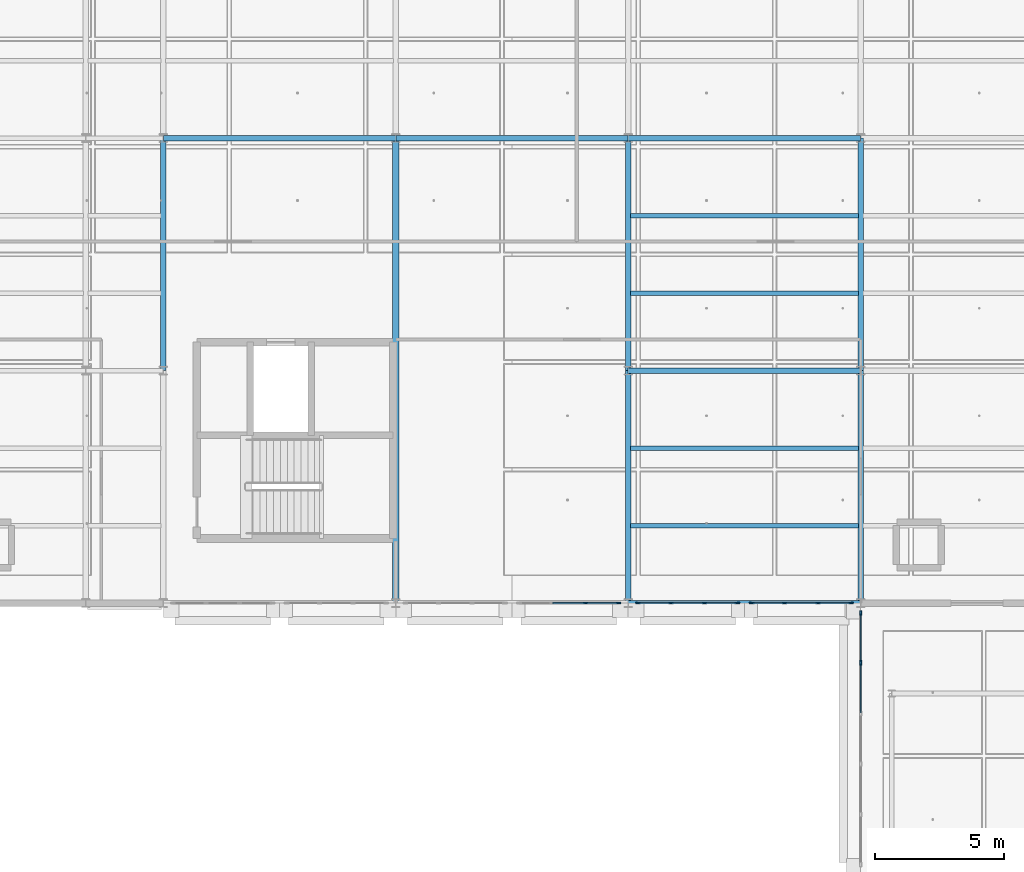
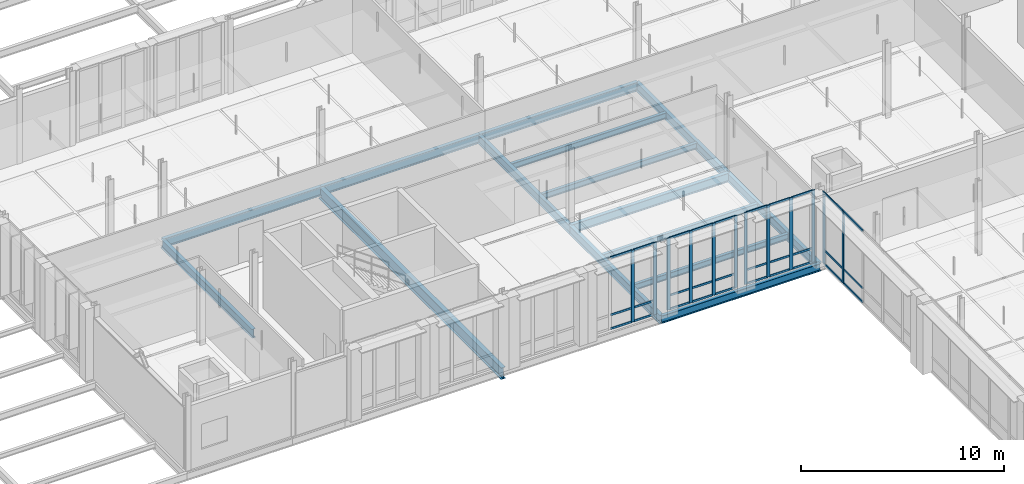
# One storey, part 52 of 140: 42 members, 15 beams, 4 elements without a shape of their own.
"""IFC4 building model written with IfcOpenShell, lengths in metres."""

import ifcopenshell
import ifcopenshell.guid

model = None  # the IFC model being written
_history = None  # IfcOwnerHistory: only IFC2X3 demands one
_inside = {}  # id of a spatial element -> (the spatial element, [elements in it])
_under = {}  # id of a project, library or spatial element -> (it, [spatial elements below it])
_declared = {}  # id of a project -> (the project, [libraries it declares])
_typed = {}  # id of a type object -> (the type object, [elements of that type])
_made_of = {}  # id of a material, layer set ... -> (it, [elements and type objects made of it])


def new_model(schema):
    """Start an empty IFC model of exactly this schema.

    Asked for "IFC4X3", IfcOpenShell would pick the latest addendum, in which some entities
    have other attributes; the version numbers below select the first issue.
    IFC2X3 requires an IfcOwnerHistory on every rooted entity: one is made here for all.
    """
    global model, _history
    if schema == "IFC4X3":
        model = ifcopenshell.file(schema_version=(4, 3, 0, 0))
    else:
        model = ifcopenshell.file(schema=schema)
    _inside.clear()
    _under.clear()
    _declared.clear()
    _typed.clear()
    _made_of.clear()
    _history = None
    if model.schema == "IFC2X3":
        org = make("IfcOrganization", Name="unknown")
        user = make(
            "IfcPersonAndOrganization",
            ThePerson=make("IfcPerson", FamilyName="unknown"),
            TheOrganization=org,
        )
        app = make(
            "IfcApplication",
            ApplicationDeveloper=org,
            Version="unknown",
            ApplicationFullName="unknown",
            ApplicationIdentifier="unknown",
        )
        _history = make(
            "IfcOwnerHistory",
            OwningUser=user,
            OwningApplication=app,
            ChangeAction="ADDED",
            CreationDate=0,
        )
    return model


def make(cls, **values):
    """One entity of the class cls with the attributes given. An attribute that is None is left unset."""
    return model.create_entity(
        cls, **{name: value for name, value in values.items() if value is not None}
    )


def rooted(cls, **values):
    """An entity with a GlobalId (a new one), such as an element, a storey or a relation."""
    return make(cls, GlobalId=ifcopenshell.guid.new(), OwnerHistory=_history, **values)


def si_unit(unit_type, name, prefix=None):
    """IfcSIUnit, for example si_unit("LENGTHUNIT", "METRE", prefix="MILLI")."""
    return make("IfcSIUnit", UnitType=unit_type, Prefix=prefix, Name=name)


def assignment(units):
    """IfcUnitAssignment: the units of a project."""
    return None if units is None else make("IfcUnitAssignment", Units=units)


def point(xyz):
    """IfcCartesianPoint."""
    return None if xyz is None else make("IfcCartesianPoint", Coordinates=xyz)


def direction(xyz):
    """IfcDirection."""
    return None if xyz is None else make("IfcDirection", DirectionRatios=xyz)


def frame(location, z_axis=None, x_axis=None):
    """IfcAxis2Placement3D, a coordinate frame: its origin and axes. An axis left out is left unset."""
    return make(
        "IfcAxis2Placement3D",
        Location=point(location),
        Axis=direction(z_axis),
        RefDirection=direction(x_axis),
    )


def frame_2d(location, x_axis=None):
    """IfcAxis2Placement2D, a coordinate frame in the plane: its origin and x axis."""
    return make(
        "IfcAxis2Placement2D", Location=point(location), RefDirection=direction(x_axis)
    )


def origin():
    """The frame at (0, 0, 0) with its axes left unset."""
    return frame((0.0, 0.0, 0.0))


def origin_2d():
    """The frame at (0, 0) in the plane with its x axis left unset."""
    return frame_2d((0.0, 0.0))


def place(relative_to, where):
    """IfcLocalPlacement: puts the frame where relative to a parent placement (None: the world)."""
    return make(
        "IfcLocalPlacement", PlacementRelTo=relative_to, RelativePlacement=where
    )


def context(
    kind, dimensions, precision=None, world=None, true_north=None, identifier=None
):
    """IfcGeometricRepresentationContext, for example the 3D "Model" context."""
    return make(
        "IfcGeometricRepresentationContext",
        ContextIdentifier=identifier,
        ContextType=kind,
        CoordinateSpaceDimension=dimensions,
        Precision=precision,
        WorldCoordinateSystem=world,
        TrueNorth=true_north,
    )


def subcontext(parent, identifier, kind, view, scale=None):
    """IfcGeometricRepresentationSubContext, for example "Body" below "Model"."""
    return make(
        "IfcGeometricRepresentationSubContext",
        ContextIdentifier=identifier,
        ContextType=kind,
        ParentContext=parent,
        TargetScale=scale,
        TargetView=view,
    )


def project(units=None, contexts=None):
    """IfcProject with its units and contexts."""
    return rooted(
        "IfcProject",
        Name="project",
        RepresentationContexts=contexts,
        UnitsInContext=assignment(units),
    )


def spatial(cls, under=None, at=None, **own):
    """A site, building, storey or space (cls), placed at a placement, below another one or the project."""
    s = rooted(cls, ObjectPlacement=at, **own)
    if under is not None:
        _under.setdefault(under.id(), (under, []))[1].append(s)
    return s


def profile(cls, at=None, kind="AREA", **sizes):
    """A parametric profile (cls). Its sizes go by their IFC names, for example OverallWidth=200.0."""
    return make(cls, ProfileType=kind, Position=at, **sizes)


def rectangle(**sizes):
    """IfcRectangleProfileDef."""
    return profile("IfcRectangleProfileDef", **sizes)


def i_section(**sizes):
    """IfcIShapeProfileDef."""
    return profile("IfcIShapeProfileDef", **sizes)


def extrude(swept, where, along, depth):
    """IfcExtrudedAreaSolid: the profile swept, set in the frame where, extruded along a direction by depth."""
    return make(
        "IfcExtrudedAreaSolid",
        SweptArea=swept,
        Position=where,
        ExtrudedDirection=direction(along),
        Depth=depth,
    )


def shape(context_of_items, identifier, shape_type, items):
    """IfcShapeRepresentation: the items that make up one representation, for example the "Body"."""
    return make(
        "IfcShapeRepresentation",
        ContextOfItems=context_of_items,
        RepresentationIdentifier=identifier,
        RepresentationType=shape_type,
        Items=items,
    )


def material(Name=None, Category=None):
    """IfcMaterial."""
    return make("IfcMaterial", Name=Name, Category=Category)


def material_profile(
    of_material, cross_section, Name=None, Category=None, Priority=None
):
    """IfcMaterialProfile: a cross section and its material."""
    return make(
        "IfcMaterialProfile",
        Name=Name,
        Material=of_material,
        Profile=cross_section,
        Priority=Priority,
        Category=Category,
    )


def profile_set(profiles, Name=None, composite=None):
    """IfcMaterialProfileSet."""
    return make(
        "IfcMaterialProfileSet",
        Name=Name,
        MaterialProfiles=profiles,
        CompositeProfile=composite,
    )


def made_of(thing, what):
    """Note that an element or type object is made of a material, layer set ...; save() writes the relation."""
    if what is not None:
        _made_of.setdefault(what.id(), (what, []))[1].append(thing)
    return thing


def type_object(cls, material=None, **own):
    """A type object (cls), such as IfcWallType, which elements share."""
    return made_of(rooted(cls, **own), material)


def element(
    cls,
    number,
    at=None,
    inside=None,
    cuts=None,
    type_object=None,
    material=None,
    context=None,
    identifier="Body",
    shape_type=None,
    held_by="IfcProductDefinitionShape",
    body=None,
    shapes=None,
    **own,
):
    """One element of the class cls, such as IfcWall. Its Tag is "e" and its number.

    at: its placement. inside: the storey or other place that contains it. cuts: it is an
    opening in that element (IfcRelVoidsElement). A single representation is given by context,
    identifier, shape_type and body (its items); several are given by shapes. held_by: the class
    of the entity that holds the representations. save() writes the other relations.
    """
    e = rooted(cls, Tag="e%d" % number, ObjectPlacement=at, **own)
    if body is not None:
        shapes = [shape(context, identifier, shape_type, body)]
    if shapes is not None:
        e.Representation = make(held_by, Representations=shapes)
    if inside is not None:
        _inside.setdefault(inside.id(), (inside, []))[1].append(e)
    if cuts is not None:
        rooted(
            "IfcRelVoidsElement", RelatingBuildingElement=cuts, RelatedOpeningElement=e
        )
    if type_object is not None:
        _typed.setdefault(type_object.id(), (type_object, []))[1].append(e)
    return made_of(e, material)


def aggregate(whole, parts):
    """IfcRelAggregates: a whole, such as a stair, and the parts it consists of."""
    return rooted("IfcRelAggregates", RelatingObject=whole, RelatedObjects=parts)


def save(model, path):
    """Write the relations noted so far, then the file.

    IfcRelAggregates (storeys below a building ...), IfcRelContainedInSpatialStructure (elements
    in a storey), IfcRelDefinesByType, IfcRelAssociatesMaterial and IfcRelDeclares: one each for
    every whole, place, type object, material and project.
    """
    for whole, parts in _under.values():
        aggregate(whole, parts)
    for where, things in _inside.values():
        rooted(
            "IfcRelContainedInSpatialStructure",
            RelatedElements=things,
            RelatingStructure=where,
        )
    for kind, things in _typed.values():
        rooted("IfcRelDefinesByType", RelatedObjects=things, RelatingType=kind)
    for what, things in _made_of.values():
        rooted("IfcRelAssociatesMaterial", RelatedObjects=things, RelatingMaterial=what)
    for by, libraries in _declared.values():
        rooted("IfcRelDeclares", RelatingContext=by, RelatedDefinitions=libraries)
    model.write(path)


model = new_model("IFC4")

# Units and contexts
model_context = context("Model", 3, precision=1e-05, world=origin(), true_north=direction((0.0, 1.0)))
body_context = subcontext(model_context, "Body", "Model", "MODEL_VIEW")
ifc_project = project(units=[si_unit("LENGTHUNIT", "METRE"), si_unit("AREAUNIT", "SQUARE_METRE"), si_unit("VOLUMEUNIT", "CUBIC_METRE"), si_unit("PLANEANGLEUNIT", "RADIAN"), si_unit("MASSUNIT", "GRAM", prefix="KILO"), si_unit("THERMODYNAMICTEMPERATUREUNIT", "KELVIN"), si_unit("POWERUNIT", "WATT")], contexts=[model_context])

# Site, building, storey
site_placement = place(None, origin())
site = spatial("IfcSite", under=ifc_project, at=site_placement, CompositionType="ELEMENT")
building_placement = place(site_placement, origin())
building = spatial("IfcBuilding", under=site, at=building_placement, Name="Tallowbark Science Centre", CompositionType="ELEMENT")
storey_placement = place(building_placement, frame((0.0, 0.0, 9.89990234375)))
storey = spatial("IfcBuildingStorey", under=building, at=storey_placement, Name="L02", CompositionType="ELEMENT", Elevation=9.89990234375)

# Beams
ifc_material_1 = material(Name="Structural Steel Grade 300PLUS (300 MPa)", Category="steel")
ifc_material_profile_1 = material_profile(ifc_material_1, i_section(OverallWidth=0.208984375, OverallDepth=0.532958984375, WebThickness=0.01025390625, FlangeThickness=0.015625, FilletRadius=0.013916015625, at=origin_2d()), Name="530UB92.4")
ifc_profile_set_1 = profile_set([ifc_material_profile_1], Name="Structural Steel Grade 300PLUS (300 MPa)")
beam_type_1 = type_object("IfcBeamType", Name="BM-UB530A", PredefinedType="BEAM", material=ifc_profile_set_1)
for number, where, z_axis, x_axis, name in (
    (1, (90.0, 81.0, -0.4462890625), (1.0, 0.0, 0.0), (0.0, 1.0, 0.0), "Primary Girder GRDX-L02-900-990-810"),
    (2, (72.0, 90.0, -0.4462890625), (1.0, 0.0, 0.0), (0.0, 1.0, 0.0), "Primary Girder GRDX-L02-720-810-900"),
    (3, (81.0, 90.0, -0.4462890625), (1.0, 0.0, 0.0), (0.0, 1.0, 0.0), "Primary Girder GRDX-L02-810-900-900"),
    (4, (90.0, 90.0, -0.4462890625), (1.0, 0.0, 0.0), (0.0, 1.0, 0.0), "Primary Girder GRDX-L02-900-990-900"),
):
    element("IfcBeam", number, at=place(storey_placement, frame(where, z_axis=z_axis, x_axis=x_axis)), inside=storey, type_object=beam_type_1, Name=name, PredefinedType="BEAM", context=body_context, shape_type="SweptSolid", body=[
        extrude(i_section(OverallWidth=0.208984375, OverallDepth=0.532958984375, WebThickness=0.01025390625, FlangeThickness=0.015625, FilletRadius=0.013916015625, at=origin_2d()), origin(), (0.0, 0.0, 1.0), 9.0),
    ])
ifc_material_profile_2 = material_profile(ifc_material_1, i_section(OverallWidth=0.208740234375, OverallDepth=0.5283203125, WebThickness=0.009521484375, FlangeThickness=0.01318359375, FilletRadius=0.013916015625, at=origin_2d()), Name="530UB82.0")
ifc_profile_set_2 = profile_set([ifc_material_profile_2], Name="Structural Steel Grade 300PLUS (300 MPa)")
beam_type_2 = type_object("IfcBeamType", Name="BM-UB530B", PredefinedType="BEAM", material=ifc_profile_set_2)
for number, where, z_axis, x_axis, name in (
    (5, (72.0, 81.0, -0.444091796875), (0.0, 1.0, 0.0), (-1.0, 0.0, 0.0), "Primary Girder GRDY-L02-720-810-900"),
    (6, (90.0, 72.0, -0.444091796875), (0.0, 1.0, 0.0), (-1.0, 0.0, 0.0), "Primary Girder GRDY-L02-900-720-810"),
    (7, (90.0, 81.0, -0.444091796875), (0.0, 1.0, 0.0), (-1.0, 0.0, 0.0), "Primary Girder GRDY-L02-900-810-900"),
    (8, (99.0, 72.0, -0.444091796875), (0.0, 1.0, 0.0), (-1.0, 0.0, 0.0), "Primary Girder GRDY-L02-990-720-810"),
    (9, (99.0, 81.0, -0.444091796875), (0.0, 1.0, 0.0), (-1.0, 0.0, 0.0), "Primary Girder GRDY-L02-990-810-900"),
):
    element("IfcBeam", number, at=place(storey_placement, frame(where, z_axis=z_axis, x_axis=x_axis)), inside=storey, type_object=beam_type_2, Name=name, PredefinedType="BEAM", context=body_context, shape_type="SweptSolid", body=[
        extrude(i_section(OverallWidth=0.208740234375, OverallDepth=0.5283203125, WebThickness=0.009521484375, FlangeThickness=0.01318359375, FilletRadius=0.013916015625, at=origin_2d()), origin(), (0.0, 0.0, 1.0), 9.0),
    ])
ifc_material_profile_3 = material_profile(ifc_material_1, i_section(OverallWidth=0.25, OverallDepth=0.699951171875, WebThickness=0.010009765625, FlangeThickness=0.02001953125, FilletRadius=0.013916015625, at=origin_2d()), Name="700WB130")
ifc_profile_set_3 = profile_set([ifc_material_profile_3], Name="Structural Steel Grade 300PLUS (300 MPa)")
beam_type_3 = type_object("IfcBeamType", Name="BM-WB700", PredefinedType="BEAM", material=ifc_profile_set_3)
beam_1_placement = place(storey_placement, frame((81.0, 72.0, -0.52978515625), z_axis=(0.0, 1.0, 0.0), x_axis=(-1.0, 0.0, 0.0)))
element("IfcBeam", 10, at=beam_1_placement, inside=storey, type_object=beam_type_3, Name="Primary Girder GRDY-L02-810-720-900", PredefinedType="BEAM", context=body_context, shape_type="SweptSolid", body=[
    extrude(i_section(OverallWidth=0.25, OverallDepth=0.699951171875, WebThickness=0.010009765625, FlangeThickness=0.02001953125, FilletRadius=0.013916015625, at=origin_2d()), origin(), (0.0, 0.0, 1.0), 18.0),
])

# Curtain wall, members
ifc_material_2 = material(Name="Unitised Thermally Broken Aluminium and Low-E Double Glazing", Category="aluminium")
curtain_wall_type = type_object("IfcCurtainWallType", Name="CW-SYS-FACADE", PredefinedType="NOTDEFINED", material=ifc_material_2)
curtain_wall_1_placement = place(storey_placement, origin())
curtain_wall_1 = element("IfcCurtainWall", 11, at=curtain_wall_1_placement, inside=storey, type_object=curtain_wall_type, Name="Unitised Curtain Wall LNK-W-2 CW-L02-020", PredefinedType="NOTDEFINED")
ifc_material_3 = material(Name="Anodised Architectural Aluminium Alloy 6063-T6", Category="aluminium")
ifc_material_profile_4 = material_profile(ifc_material_3, rectangle(XDim=0.06494140625, YDim=0.179931640625, at=origin_2d()), Name="ALU65x180")
ifc_profile_set_4 = profile_set([ifc_material_profile_4], Name="Anodised Architectural Aluminium Alloy 6063-T6")
member_type_1 = type_object("IfcMemberType", Name="CWM-MUL-220", PredefinedType="MULLION", material=ifc_profile_set_4)
member_1_placement = place(storey_placement, frame((99.0, 71.617431640625, 0.0), z_axis=(0.0, 0.0, 1.0), x_axis=(1.0, 0.0, 0.0)))
member_1 = element("IfcMember", 12, at=member_1_placement, type_object=member_type_1, Name="CW-01 mullion 1", PredefinedType="MULLION", context=body_context, shape_type="SweptSolid", body=[
    extrude(rectangle(XDim=0.06494140625, YDim=0.179931640625, at=origin_2d()), origin(), (0.0, 0.0, 1.0), 4.320068359375),
])
member_2_placement = place(storey_placement, frame((99.0, 69.68994140625, 0.0), z_axis=(0.0, 0.0, 1.0), x_axis=(1.0, 0.0, 0.0)))
member_2 = element("IfcMember", 13, at=member_2_placement, type_object=member_type_1, Name="CW-01 mullion 2", PredefinedType="MULLION", context=body_context, shape_type="SweptSolid", body=[
    extrude(rectangle(XDim=0.06494140625, YDim=0.179931640625, at=origin_2d()), origin(), (0.0, 0.0, 1.0), 4.320068359375),
])

curtain_wall_2_placement = place(storey_placement, origin())
curtain_wall_2 = element("IfcCurtainWall", 14, at=curtain_wall_2_placement, inside=storey, type_object=curtain_wall_type, Name="Unitised Curtain Wall LAB-S-81B CW-L02-063", PredefinedType="NOTDEFINED")
member_3_placement = place(storey_placement, frame((88.35009765625, 72.0, 0.0), z_axis=(0.0, 0.0, 1.0), x_axis=(0.0, 1.0, 0.0)))
member_3 = element("IfcMember", 15, at=member_3_placement, type_object=member_type_1, Name="CW-01 mullion 3", PredefinedType="MULLION", context=body_context, shape_type="SweptSolid", body=[
    extrude(rectangle(XDim=0.06494140625, YDim=0.179931640625, at=origin_2d()), origin(), (0.0, 0.0, 1.0), 4.320068359375),
])
member_4_placement = place(storey_placement, frame((89.617431640625, 72.0, 0.0), z_axis=(0.0, 0.0, 1.0), x_axis=(0.0, 1.0, 0.0)))
member_4 = element("IfcMember", 16, at=member_4_placement, type_object=member_type_1, Name="CW-01 mullion 4", PredefinedType="MULLION", context=body_context, shape_type="SweptSolid", body=[
    extrude(rectangle(XDim=0.06494140625, YDim=0.179931640625, at=origin_2d()), origin(), (0.0, 0.0, 1.0), 4.320068359375),
])

curtain_wall_3_placement = place(storey_placement, origin())
curtain_wall_3 = element("IfcCurtainWall", 17, at=curtain_wall_3_placement, inside=storey, type_object=curtain_wall_type, Name="Unitised Curtain Wall LAB-S-90A CW-L02-064", PredefinedType="NOTDEFINED")
member_5_placement = place(storey_placement, frame((90.382568359375, 72.0, 0.0), z_axis=(0.0, 0.0, 1.0), x_axis=(0.0, 1.0, 0.0)))
member_5 = element("IfcMember", 18, at=member_5_placement, type_object=member_type_1, Name="CW-01 mullion 1", PredefinedType="MULLION", context=body_context, shape_type="SweptSolid", body=[
    extrude(rectangle(XDim=0.06494140625, YDim=0.179931640625, at=origin_2d()), origin(), (0.0, 0.0, 1.0), 4.320068359375),
])
member_6_placement = place(storey_placement, frame((91.64990234375, 72.0, 0.0), z_axis=(0.0, 0.0, 1.0), x_axis=(0.0, 1.0, 0.0)))
member_6 = element("IfcMember", 19, at=member_6_placement, type_object=member_type_1, Name="CW-01 mullion 2", PredefinedType="MULLION", context=body_context, shape_type="SweptSolid", body=[
    extrude(rectangle(XDim=0.06494140625, YDim=0.179931640625, at=origin_2d()), origin(), (0.0, 0.0, 1.0), 4.320068359375),
])
member_7_placement = place(storey_placement, frame((92.949951171875, 72.0, 0.0), z_axis=(0.0, 0.0, 1.0), x_axis=(0.0, 1.0, 0.0)))
member_7 = element("IfcMember", 20, at=member_7_placement, type_object=member_type_1, Name="CW-01 mullion 3", PredefinedType="MULLION", context=body_context, shape_type="SweptSolid", body=[
    extrude(rectangle(XDim=0.06494140625, YDim=0.179931640625, at=origin_2d()), origin(), (0.0, 0.0, 1.0), 4.320068359375),
])
member_8_placement = place(storey_placement, frame((94.217529296875, 72.0, 0.0), z_axis=(0.0, 0.0, 1.0), x_axis=(0.0, 1.0, 0.0)))
member_8 = element("IfcMember", 21, at=member_8_placement, type_object=member_type_1, Name="CW-01 mullion 4", PredefinedType="MULLION", context=body_context, shape_type="SweptSolid", body=[
    extrude(rectangle(XDim=0.06494140625, YDim=0.179931640625, at=origin_2d()), origin(), (0.0, 0.0, 1.0), 4.320068359375),
])

curtain_wall_4_placement = place(storey_placement, origin())
curtain_wall_4 = element("IfcCurtainWall", 22, at=curtain_wall_4_placement, inside=storey, type_object=curtain_wall_type, Name="Unitised Curtain Wall LAB-S-90B CW-L02-065", PredefinedType="NOTDEFINED")
member_9_placement = place(storey_placement, frame((94.782470703125, 72.0, 0.0), z_axis=(0.0, 0.0, 1.0), x_axis=(0.0, 1.0, 0.0)))
member_9 = element("IfcMember", 23, at=member_9_placement, type_object=member_type_1, Name="CW-01 mullion 1", PredefinedType="MULLION", context=body_context, shape_type="SweptSolid", body=[
    extrude(rectangle(XDim=0.06494140625, YDim=0.179931640625, at=origin_2d()), origin(), (0.0, 0.0, 1.0), 4.320068359375),
])
member_10_placement = place(storey_placement, frame((96.050048828125, 72.0, 0.0), z_axis=(0.0, 0.0, 1.0), x_axis=(0.0, 1.0, 0.0)))
member_10 = element("IfcMember", 24, at=member_10_placement, type_object=member_type_1, Name="CW-01 mullion 2", PredefinedType="MULLION", context=body_context, shape_type="SweptSolid", body=[
    extrude(rectangle(XDim=0.06494140625, YDim=0.179931640625, at=origin_2d()), origin(), (0.0, 0.0, 1.0), 4.320068359375),
])
member_11_placement = place(storey_placement, frame((97.35009765625, 72.0, 0.0), z_axis=(0.0, 0.0, 1.0), x_axis=(0.0, 1.0, 0.0)))
member_11 = element("IfcMember", 25, at=member_11_placement, type_object=member_type_1, Name="CW-01 mullion 3", PredefinedType="MULLION", context=body_context, shape_type="SweptSolid", body=[
    extrude(rectangle(XDim=0.06494140625, YDim=0.179931640625, at=origin_2d()), origin(), (0.0, 0.0, 1.0), 4.320068359375),
])
member_12_placement = place(storey_placement, frame((98.617431640625, 72.0, 0.0), z_axis=(0.0, 0.0, 1.0), x_axis=(0.0, 1.0, 0.0)))
member_12 = element("IfcMember", 26, at=member_12_placement, type_object=member_type_1, Name="CW-01 mullion 4", PredefinedType="MULLION", context=body_context, shape_type="SweptSolid", body=[
    extrude(rectangle(XDim=0.06494140625, YDim=0.179931640625, at=origin_2d()), origin(), (0.0, 0.0, 1.0), 4.320068359375),
])

# Member
ifc_material_profile_5 = material_profile(ifc_material_3, rectangle(XDim=0.054931640625, YDim=0.1201171875, at=origin_2d()), Name="ALU55x120")
ifc_profile_set_5 = profile_set([ifc_material_profile_5], Name="Anodised Architectural Aluminium Alloy 6063-T6")
member_type_2 = type_object("IfcMemberType", Name="CWM-TRN-150", PredefinedType="USERDEFINED", material=ifc_profile_set_5)
member_13_placement = place(storey_placement, frame((99.0, 71.5849609375, 0.027587890625), z_axis=(0.0, -1.0, 0.0), x_axis=(1.0, 0.0, 0.0)))
member_13 = element("IfcMember", 27, at=member_13_placement, type_object=member_type_2, Name="CW-01 transom 1.1", ObjectType="TRANSOM", PredefinedType="USERDEFINED", context=body_context, shape_type="SweptSolid", body=[
    extrude(rectangle(XDim=0.054931640625, YDim=0.1201171875, at=origin_2d()), origin(), (0.0, 0.0, 1.0), 1.862548828125),
])

member_14_placement = place(storey_placement, frame((99.0, 71.5849609375, 0.85009765625), z_axis=(0.0, -1.0, 0.0), x_axis=(1.0, 0.0, 0.0)))
member_14 = element("IfcMember", 28, at=member_14_placement, type_object=member_type_2, Name="CW-01 transom 1.2", ObjectType="TRANSOM", PredefinedType="USERDEFINED", context=body_context, shape_type="SweptSolid", body=[
    extrude(rectangle(XDim=0.054931640625, YDim=0.1201171875, at=origin_2d()), origin(), (0.0, 0.0, 1.0), 1.862548828125),
])

member_15_placement = place(storey_placement, frame((99.0, 71.5849609375, 4.29248046875), z_axis=(0.0, -1.0, 0.0), x_axis=(1.0, 0.0, 0.0)))
member_15 = element("IfcMember", 29, at=member_15_placement, type_object=member_type_2, Name="CW-01 transom 1.3", ObjectType="TRANSOM", PredefinedType="USERDEFINED", context=body_context, shape_type="SweptSolid", body=[
    extrude(rectangle(XDim=0.054931640625, YDim=0.1201171875, at=origin_2d()), origin(), (0.0, 0.0, 1.0), 1.862548828125),
])

member_16_placement = place(storey_placement, frame((99.0, 69.657470703125, 0.027587890625), z_axis=(0.0, -1.0, 0.0), x_axis=(1.0, 0.0, 0.0)))
member_16 = element("IfcMember", 30, at=member_16_placement, type_object=member_type_2, Name="CW-01 transom 2.1", ObjectType="TRANSOM", PredefinedType="USERDEFINED", context=body_context, shape_type="SweptSolid", body=[
    extrude(rectangle(XDim=0.054931640625, YDim=0.1201171875, at=origin_2d()), origin(), (0.0, 0.0, 1.0), 1.89501953125),
])

member_17_placement = place(storey_placement, frame((99.0, 69.657470703125, 0.85009765625), z_axis=(0.0, -1.0, 0.0), x_axis=(1.0, 0.0, 0.0)))
member_17 = element("IfcMember", 31, at=member_17_placement, type_object=member_type_2, Name="CW-01 transom 2.2", ObjectType="TRANSOM", PredefinedType="USERDEFINED", context=body_context, shape_type="SweptSolid", body=[
    extrude(rectangle(XDim=0.054931640625, YDim=0.1201171875, at=origin_2d()), origin(), (0.0, 0.0, 1.0), 1.89501953125),
])

member_18_placement = place(storey_placement, frame((99.0, 69.657470703125, 4.29248046875), z_axis=(0.0, -1.0, 0.0), x_axis=(1.0, 0.0, 0.0)))
member_18 = element("IfcMember", 32, at=member_18_placement, type_object=member_type_2, Name="CW-01 transom 2.3", ObjectType="TRANSOM", PredefinedType="USERDEFINED", context=body_context, shape_type="SweptSolid", body=[
    extrude(rectangle(XDim=0.054931640625, YDim=0.1201171875, at=origin_2d()), origin(), (0.0, 0.0, 1.0), 1.89501953125),
])

aggregate(curtain_wall_1, [member_1, member_2, member_13, member_14, member_15, member_16, member_17, member_18])

member_19_placement = place(storey_placement, frame((87.08251953125, 72.0, 0.027587890625), z_axis=(1.0, 0.0, 0.0), x_axis=(0.0, 1.0, 0.0)))
member_19 = element("IfcMember", 33, at=member_19_placement, type_object=member_type_2, Name="CW-01 transom 2.1", ObjectType="TRANSOM", PredefinedType="USERDEFINED", context=body_context, shape_type="SweptSolid", body=[
    extrude(rectangle(XDim=0.054931640625, YDim=0.1201171875, at=origin_2d()), origin(), (0.0, 0.0, 1.0), 1.23486328125),
])

member_20_placement = place(storey_placement, frame((87.08251953125, 72.0, 0.85009765625), z_axis=(1.0, 0.0, 0.0), x_axis=(0.0, 1.0, 0.0)))
member_20 = element("IfcMember", 34, at=member_20_placement, type_object=member_type_2, Name="CW-01 transom 2.2", ObjectType="TRANSOM", PredefinedType="USERDEFINED", context=body_context, shape_type="SweptSolid", body=[
    extrude(rectangle(XDim=0.054931640625, YDim=0.1201171875, at=origin_2d()), origin(), (0.0, 0.0, 1.0), 1.23486328125),
])

member_21_placement = place(storey_placement, frame((87.08251953125, 72.0, 4.29248046875), z_axis=(1.0, 0.0, 0.0), x_axis=(0.0, 1.0, 0.0)))
member_21 = element("IfcMember", 35, at=member_21_placement, type_object=member_type_2, Name="CW-01 transom 2.3", ObjectType="TRANSOM", PredefinedType="USERDEFINED", context=body_context, shape_type="SweptSolid", body=[
    extrude(rectangle(XDim=0.054931640625, YDim=0.1201171875, at=origin_2d()), origin(), (0.0, 0.0, 1.0), 1.23486328125),
])

member_22_placement = place(storey_placement, frame((88.382568359375, 72.0, 0.027587890625), z_axis=(1.0, 0.0, 0.0), x_axis=(0.0, 1.0, 0.0)))
member_22 = element("IfcMember", 36, at=member_22_placement, type_object=member_type_2, Name="CW-01 transom 3.1", ObjectType="TRANSOM", PredefinedType="USERDEFINED", context=body_context, shape_type="SweptSolid", body=[
    extrude(rectangle(XDim=0.054931640625, YDim=0.1201171875, at=origin_2d()), origin(), (0.0, 0.0, 1.0), 1.202392578125),
])

member_23_placement = place(storey_placement, frame((88.382568359375, 72.0, 0.85009765625), z_axis=(1.0, 0.0, 0.0), x_axis=(0.0, 1.0, 0.0)))
member_23 = element("IfcMember", 37, at=member_23_placement, type_object=member_type_2, Name="CW-01 transom 3.2", ObjectType="TRANSOM", PredefinedType="USERDEFINED", context=body_context, shape_type="SweptSolid", body=[
    extrude(rectangle(XDim=0.054931640625, YDim=0.1201171875, at=origin_2d()), origin(), (0.0, 0.0, 1.0), 1.202392578125),
])

member_24_placement = place(storey_placement, frame((88.382568359375, 72.0, 4.29248046875), z_axis=(1.0, 0.0, 0.0), x_axis=(0.0, 1.0, 0.0)))
member_24 = element("IfcMember", 38, at=member_24_placement, type_object=member_type_2, Name="CW-01 transom 3.3", ObjectType="TRANSOM", PredefinedType="USERDEFINED", context=body_context, shape_type="SweptSolid", body=[
    extrude(rectangle(XDim=0.054931640625, YDim=0.1201171875, at=origin_2d()), origin(), (0.0, 0.0, 1.0), 1.202392578125),
])

aggregate(curtain_wall_2, [member_3, member_4, member_19, member_20, member_21, member_22, member_23, member_24])

member_25_placement = place(storey_placement, frame((90.4150390625, 72.0, 0.027587890625), z_axis=(1.0, 0.0, 0.0), x_axis=(0.0, 1.0, 0.0)))
member_25 = element("IfcMember", 39, at=member_25_placement, type_object=member_type_2, Name="CW-01 transom 1.1", ObjectType="TRANSOM", PredefinedType="USERDEFINED", context=body_context, shape_type="SweptSolid", body=[
    extrude(rectangle(XDim=0.054931640625, YDim=0.1201171875, at=origin_2d()), origin(), (0.0, 0.0, 1.0), 1.202392578125),
])

member_26_placement = place(storey_placement, frame((90.4150390625, 72.0, 0.85009765625), z_axis=(1.0, 0.0, 0.0), x_axis=(0.0, 1.0, 0.0)))
member_26 = element("IfcMember", 40, at=member_26_placement, type_object=member_type_2, Name="CW-01 transom 1.2", ObjectType="TRANSOM", PredefinedType="USERDEFINED", context=body_context, shape_type="SweptSolid", body=[
    extrude(rectangle(XDim=0.054931640625, YDim=0.1201171875, at=origin_2d()), origin(), (0.0, 0.0, 1.0), 1.202392578125),
])

member_27_placement = place(storey_placement, frame((90.4150390625, 72.0, 4.29248046875), z_axis=(1.0, 0.0, 0.0), x_axis=(0.0, 1.0, 0.0)))
member_27 = element("IfcMember", 41, at=member_27_placement, type_object=member_type_2, Name="CW-01 transom 1.3", ObjectType="TRANSOM", PredefinedType="USERDEFINED", context=body_context, shape_type="SweptSolid", body=[
    extrude(rectangle(XDim=0.054931640625, YDim=0.1201171875, at=origin_2d()), origin(), (0.0, 0.0, 1.0), 1.202392578125),
])

member_28_placement = place(storey_placement, frame((91.6826171875, 72.0, 0.027587890625), z_axis=(1.0, 0.0, 0.0), x_axis=(0.0, 1.0, 0.0)))
member_28 = element("IfcMember", 42, at=member_28_placement, type_object=member_type_2, Name="CW-01 transom 2.1", ObjectType="TRANSOM", PredefinedType="USERDEFINED", context=body_context, shape_type="SweptSolid", body=[
    extrude(rectangle(XDim=0.054931640625, YDim=0.1201171875, at=origin_2d()), origin(), (0.0, 0.0, 1.0), 1.23486328125),
])

member_29_placement = place(storey_placement, frame((91.6826171875, 72.0, 0.85009765625), z_axis=(1.0, 0.0, 0.0), x_axis=(0.0, 1.0, 0.0)))
member_29 = element("IfcMember", 43, at=member_29_placement, type_object=member_type_2, Name="CW-01 transom 2.2", ObjectType="TRANSOM", PredefinedType="USERDEFINED", context=body_context, shape_type="SweptSolid", body=[
    extrude(rectangle(XDim=0.054931640625, YDim=0.1201171875, at=origin_2d()), origin(), (0.0, 0.0, 1.0), 1.23486328125),
])

member_30_placement = place(storey_placement, frame((91.6826171875, 72.0, 4.29248046875), z_axis=(1.0, 0.0, 0.0), x_axis=(0.0, 1.0, 0.0)))
member_30 = element("IfcMember", 44, at=member_30_placement, type_object=member_type_2, Name="CW-01 transom 2.3", ObjectType="TRANSOM", PredefinedType="USERDEFINED", context=body_context, shape_type="SweptSolid", body=[
    extrude(rectangle(XDim=0.054931640625, YDim=0.1201171875, at=origin_2d()), origin(), (0.0, 0.0, 1.0), 1.23486328125),
])

member_31_placement = place(storey_placement, frame((92.982421875, 72.0, 0.027587890625), z_axis=(1.0, 0.0, 0.0), x_axis=(0.0, 1.0, 0.0)))
member_31 = element("IfcMember", 45, at=member_31_placement, type_object=member_type_2, Name="CW-01 transom 3.1", ObjectType="TRANSOM", PredefinedType="USERDEFINED", context=body_context, shape_type="SweptSolid", body=[
    extrude(rectangle(XDim=0.054931640625, YDim=0.1201171875, at=origin_2d()), origin(), (0.0, 0.0, 1.0), 1.20263671875),
])

member_32_placement = place(storey_placement, frame((92.982421875, 72.0, 0.85009765625), z_axis=(1.0, 0.0, 0.0), x_axis=(0.0, 1.0, 0.0)))
member_32 = element("IfcMember", 46, at=member_32_placement, type_object=member_type_2, Name="CW-01 transom 3.2", ObjectType="TRANSOM", PredefinedType="USERDEFINED", context=body_context, shape_type="SweptSolid", body=[
    extrude(rectangle(XDim=0.054931640625, YDim=0.1201171875, at=origin_2d()), origin(), (0.0, 0.0, 1.0), 1.20263671875),
])

member_33_placement = place(storey_placement, frame((92.982421875, 72.0, 4.29248046875), z_axis=(1.0, 0.0, 0.0), x_axis=(0.0, 1.0, 0.0)))
member_33 = element("IfcMember", 47, at=member_33_placement, type_object=member_type_2, Name="CW-01 transom 3.3", ObjectType="TRANSOM", PredefinedType="USERDEFINED", context=body_context, shape_type="SweptSolid", body=[
    extrude(rectangle(XDim=0.054931640625, YDim=0.1201171875, at=origin_2d()), origin(), (0.0, 0.0, 1.0), 1.20263671875),
])

aggregate(curtain_wall_3, [member_5, member_6, member_7, member_8, member_25, member_26, member_27, member_28, member_29, member_30, member_31, member_32, member_33])

member_34_placement = place(storey_placement, frame((94.81494140625, 72.0, 0.027587890625), z_axis=(1.0, 0.0, 0.0), x_axis=(0.0, 1.0, 0.0)))
member_34 = element("IfcMember", 48, at=member_34_placement, type_object=member_type_2, Name="CW-01 transom 1.1", ObjectType="TRANSOM", PredefinedType="USERDEFINED", context=body_context, shape_type="SweptSolid", body=[
    extrude(rectangle(XDim=0.054931640625, YDim=0.1201171875, at=origin_2d()), origin(), (0.0, 0.0, 1.0), 1.20263671875),
])

member_35_placement = place(storey_placement, frame((94.81494140625, 72.0, 0.85009765625), z_axis=(1.0, 0.0, 0.0), x_axis=(0.0, 1.0, 0.0)))
member_35 = element("IfcMember", 49, at=member_35_placement, type_object=member_type_2, Name="CW-01 transom 1.2", ObjectType="TRANSOM", PredefinedType="USERDEFINED", context=body_context, shape_type="SweptSolid", body=[
    extrude(rectangle(XDim=0.054931640625, YDim=0.1201171875, at=origin_2d()), origin(), (0.0, 0.0, 1.0), 1.20263671875),
])

member_36_placement = place(storey_placement, frame((94.81494140625, 72.0, 4.29248046875), z_axis=(1.0, 0.0, 0.0), x_axis=(0.0, 1.0, 0.0)))
member_36 = element("IfcMember", 50, at=member_36_placement, type_object=member_type_2, Name="CW-01 transom 1.3", ObjectType="TRANSOM", PredefinedType="USERDEFINED", context=body_context, shape_type="SweptSolid", body=[
    extrude(rectangle(XDim=0.054931640625, YDim=0.1201171875, at=origin_2d()), origin(), (0.0, 0.0, 1.0), 1.20263671875),
])

member_37_placement = place(storey_placement, frame((96.08251953125, 72.0, 0.027587890625), z_axis=(1.0, 0.0, 0.0), x_axis=(0.0, 1.0, 0.0)))
member_37 = element("IfcMember", 51, at=member_37_placement, type_object=member_type_2, Name="CW-01 transom 2.1", ObjectType="TRANSOM", PredefinedType="USERDEFINED", context=body_context, shape_type="SweptSolid", body=[
    extrude(rectangle(XDim=0.054931640625, YDim=0.1201171875, at=origin_2d()), origin(), (0.0, 0.0, 1.0), 1.23486328125),
])

member_38_placement = place(storey_placement, frame((96.08251953125, 72.0, 0.85009765625), z_axis=(1.0, 0.0, 0.0), x_axis=(0.0, 1.0, 0.0)))
member_38 = element("IfcMember", 52, at=member_38_placement, type_object=member_type_2, Name="CW-01 transom 2.2", ObjectType="TRANSOM", PredefinedType="USERDEFINED", context=body_context, shape_type="SweptSolid", body=[
    extrude(rectangle(XDim=0.054931640625, YDim=0.1201171875, at=origin_2d()), origin(), (0.0, 0.0, 1.0), 1.23486328125),
])

member_39_placement = place(storey_placement, frame((96.08251953125, 72.0, 4.29248046875), z_axis=(1.0, 0.0, 0.0), x_axis=(0.0, 1.0, 0.0)))
member_39 = element("IfcMember", 53, at=member_39_placement, type_object=member_type_2, Name="CW-01 transom 2.3", ObjectType="TRANSOM", PredefinedType="USERDEFINED", context=body_context, shape_type="SweptSolid", body=[
    extrude(rectangle(XDim=0.054931640625, YDim=0.1201171875, at=origin_2d()), origin(), (0.0, 0.0, 1.0), 1.23486328125),
])

member_40_placement = place(storey_placement, frame((97.382568359375, 72.0, 0.027587890625), z_axis=(1.0, 0.0, 0.0), x_axis=(0.0, 1.0, 0.0)))
member_40 = element("IfcMember", 54, at=member_40_placement, type_object=member_type_2, Name="CW-01 transom 3.1", ObjectType="TRANSOM", PredefinedType="USERDEFINED", context=body_context, shape_type="SweptSolid", body=[
    extrude(rectangle(XDim=0.054931640625, YDim=0.1201171875, at=origin_2d()), origin(), (0.0, 0.0, 1.0), 1.202392578125),
])

member_41_placement = place(storey_placement, frame((97.382568359375, 72.0, 0.85009765625), z_axis=(1.0, 0.0, 0.0), x_axis=(0.0, 1.0, 0.0)))
member_41 = element("IfcMember", 55, at=member_41_placement, type_object=member_type_2, Name="CW-01 transom 3.2", ObjectType="TRANSOM", PredefinedType="USERDEFINED", context=body_context, shape_type="SweptSolid", body=[
    extrude(rectangle(XDim=0.054931640625, YDim=0.1201171875, at=origin_2d()), origin(), (0.0, 0.0, 1.0), 1.202392578125),
])

member_42_placement = place(storey_placement, frame((97.382568359375, 72.0, 4.29248046875), z_axis=(1.0, 0.0, 0.0), x_axis=(0.0, 1.0, 0.0)))
member_42 = element("IfcMember", 56, at=member_42_placement, type_object=member_type_2, Name="CW-01 transom 3.3", ObjectType="TRANSOM", PredefinedType="USERDEFINED", context=body_context, shape_type="SweptSolid", body=[
    extrude(rectangle(XDim=0.054931640625, YDim=0.1201171875, at=origin_2d()), origin(), (0.0, 0.0, 1.0), 1.202392578125),
])

aggregate(curtain_wall_4, [member_9, member_10, member_11, member_12, member_34, member_35, member_36, member_37, member_38, member_39, member_40, member_41, member_42])

# Beams
ifc_material_profile_6 = material_profile(ifc_material_1, i_section(OverallWidth=0.172119140625, OverallDepth=0.358642578125, WebThickness=0.008056640625, FlangeThickness=0.012939453125, FilletRadius=0.011474609375, at=origin_2d()), Name="360UB56.7")
ifc_profile_set_6 = profile_set([ifc_material_profile_6], Name="Structural Steel Grade 300PLUS (300 MPa)")
beam_type_4 = type_object("IfcBeamType", Name="JST-UB360", PredefinedType="JOIST", material=ifc_profile_set_6)
for number, where, z_axis, x_axis, name in (
    (57, (90.0849609375, 75.0, -0.359130859375), (1.0, 0.0, 0.0), (0.0, 1.0, 0.0), "Composite Floor Joist JSTX-L02-900-750"),
    (58, (90.0849609375, 78.0, -0.359130859375), (1.0, 0.0, 0.0), (0.0, 1.0, 0.0), "Composite Floor Joist JSTX-L02-900-780"),
    (59, (90.0849609375, 84.0, -0.359130859375), (1.0, 0.0, 0.0), (0.0, 1.0, 0.0), "Composite Floor Joist JSTX-L02-900-840"),
    (60, (90.0849609375, 87.0, -0.359130859375), (1.0, 0.0, 0.0), (0.0, 1.0, 0.0), "Composite Floor Joist JSTX-L02-900-870"),
):
    element("IfcBeam", number, at=place(storey_placement, frame(where, z_axis=z_axis, x_axis=x_axis)), inside=storey, type_object=beam_type_4, Name=name, PredefinedType="JOIST", context=body_context, shape_type="SweptSolid", body=[
        extrude(i_section(OverallWidth=0.172119140625, OverallDepth=0.358642578125, WebThickness=0.008056640625, FlangeThickness=0.012939453125, FilletRadius=0.011474609375, at=origin_2d()), origin(), (0.0, 0.0, 1.0), 8.830078125),
    ])
ifc_material_profile_7 = material_profile(ifc_material_1, i_section(OverallWidth=0.18994140625, OverallDepth=0.453857421875, WebThickness=0.008544921875, FlangeThickness=0.0126953125, FilletRadius=0.011474609375, at=origin_2d()), Name="460UB67.1")
ifc_profile_set_7 = profile_set([ifc_material_profile_7], Name="Structural Steel Grade 300PLUS (300 MPa)")
beam_type_5 = type_object("IfcBeamType", Name="SPN-UB460", PredefinedType="SPANDREL", material=ifc_profile_set_7)
beam_2_placement = place(storey_placement, frame((90.0, 72.0, -0.40673828125), z_axis=(1.0, 0.0, 0.0), x_axis=(0.0, 1.0, 0.0)))
element("IfcBeam", 61, at=beam_2_placement, inside=storey, type_object=beam_type_5, Name="Primary Girder GRDX-L02-900-990-720", PredefinedType="SPANDREL", context=body_context, shape_type="SweptSolid", body=[
    extrude(i_section(OverallWidth=0.18994140625, OverallDepth=0.453857421875, WebThickness=0.008544921875, FlangeThickness=0.0126953125, FilletRadius=0.011474609375, at=origin_2d()), origin(), (0.0, 0.0, 1.0), 9.0),
])

save(model, "model.ifc")
